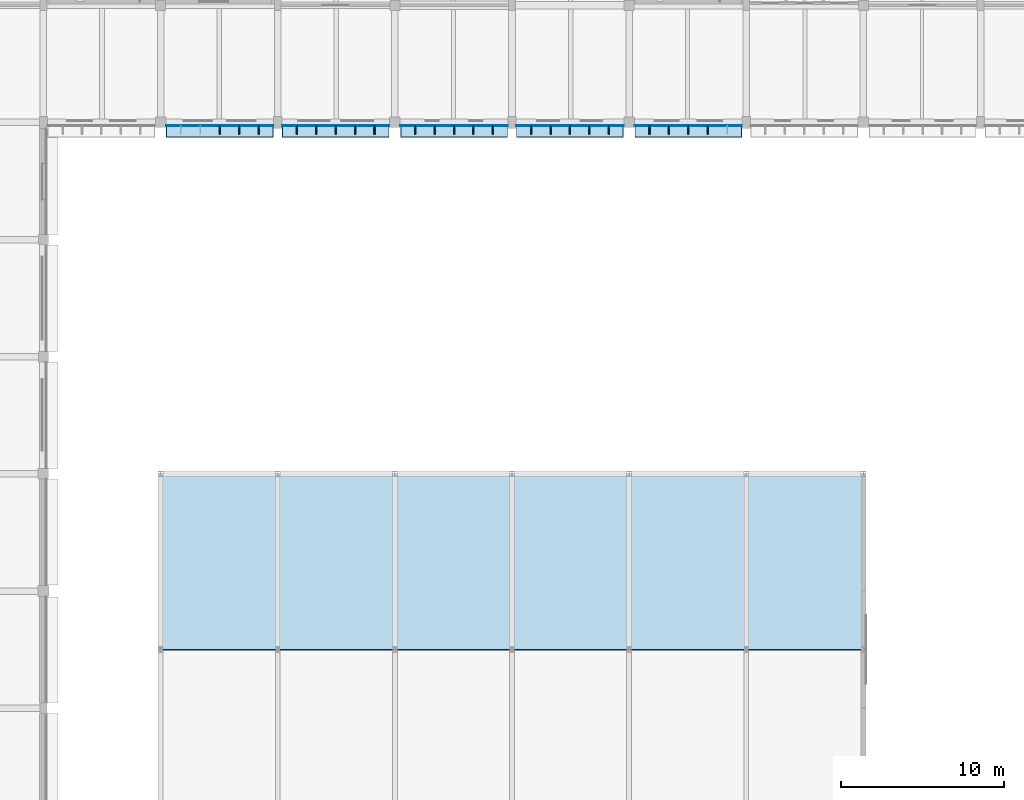
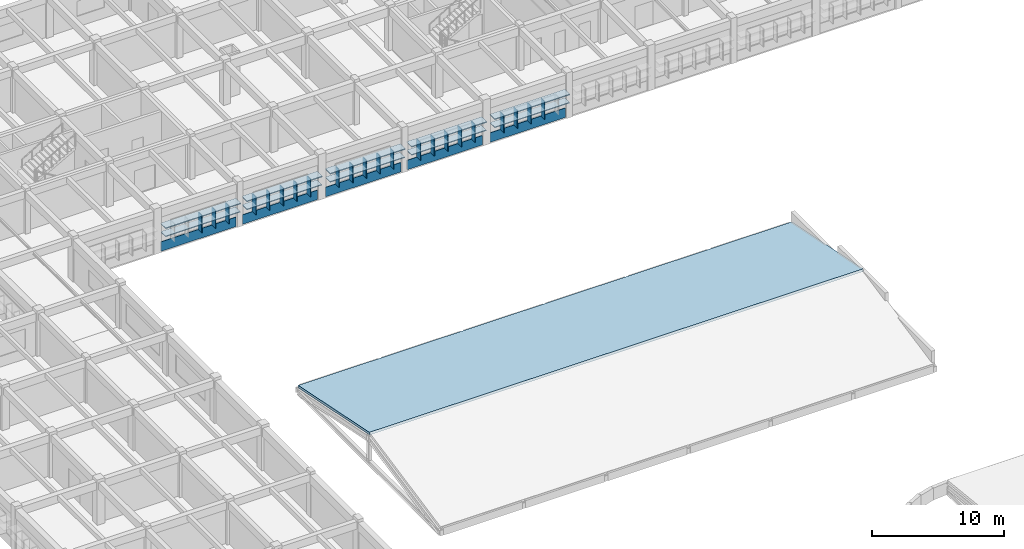
# One storey, part 71 of 103: 37 plates, 1 slab, 1 element without a shape of its own.
"""IFC4 building model written with IfcOpenShell, lengths in metres."""

from ifc_helpers import new_model, si_unit, direction, frame, origin, origin_2d, place, context, subcontext, project, spatial, polyline, rectangle, outline, extrude, material, layer, layer_set, type_object, element, aggregate, save


model = new_model("IFC4")

# Units and contexts
model_context = context("Model", 3, precision=1e-05, world=origin(), true_north=direction((0.0, 1.0)))
body_context = subcontext(model_context, "Body", "Model", "MODEL_VIEW")
ifc_project = project(units=[si_unit("LENGTHUNIT", "METRE"), si_unit("AREAUNIT", "SQUARE_METRE"), si_unit("VOLUMEUNIT", "CUBIC_METRE"), si_unit("PLANEANGLEUNIT", "RADIAN"), si_unit("MASSUNIT", "GRAM", prefix="KILO")], contexts=[model_context])

# Site, building, storey
site_placement = place(None, origin())
site = spatial("IfcSite", under=ifc_project, at=site_placement, CompositionType="ELEMENT")
building_placement = place(site_placement, origin())
building = spatial("IfcBuilding", under=site, at=building_placement, Name="Thalmaran Polytechnic", CompositionType="ELEMENT")
storey_placement = place(building_placement, frame((0.0, 0.0, 14.39990234375)))
storey = spatial("IfcBuildingStorey", under=building, at=storey_placement, Name="L03", CompositionType="ELEMENT", Elevation=14.39990234375)

# Plates
ifc_material_1 = material(Name="Anodised aluminium spandrel band", Category="aluminium")
ifc_layer_1 = layer(ifc_material_1, 0.054931640625, Name="Anodised aluminium spandrel band")
ifc_layer_set_1 = layer_set([ifc_layer_1], Name="Anodised aluminium spandrel band")
plate_type_1 = type_object("IfcPlateType", Name="PT-BD01", PredefinedType="SHEET", material=ifc_layer_set_1)
for number, where, z_axis, x_axis, name in (
    (1, (61.237548828125, 93.405029296875, 0.020263671875), (0.0, 0.0, 1.0), (-1.0, 0.0, 0.0), "Streamline Horizontal Spandrel Band L03-083"),
    (2, (53.96240234375, 93.405029296875, 0.020263671875), (0.0, 0.0, 1.0), (-1.0, 0.0, 0.0), "Streamline Horizontal Spandrel Band L03-084"),
    (3, (46.83740234375, 93.405029296875, 0.020263671875), (0.0, 0.0, 1.0), (-1.0, 0.0, 0.0), "Streamline Horizontal Spandrel Band L03-085"),
    (4, (39.5625, 93.405029296875, 0.020263671875), (0.0, 0.0, 1.0), (-1.0, 0.0, 0.0), "Streamline Horizontal Spandrel Band L03-086"),
    (5, (32.4375, 93.405029296875, 0.020263671875), (0.0, 0.0, 1.0), (-1.0, 0.0, 0.0), "Streamline Horizontal Spandrel Band L03-087"),
):
    element("IfcPlate", number, at=place(storey_placement, frame(where, z_axis=z_axis, x_axis=x_axis)), inside=storey, type_object=plate_type_1, Name=name, PredefinedType="SHEET", context=body_context, shape_type="SweptSolid", body=[
        extrude(rectangle(XDim=6.5849609375, YDim=0.054931640625, at=origin_2d()), origin(), (0.0, 0.0, 1.0), 0.8798828125),
    ])
ifc_material_2 = material(Name="Anodised aluminium sun-hood eyebrow", Category="aluminium")
ifc_layer_2 = layer(ifc_material_2, 0.0849609375, Name="Anodised aluminium sun-hood eyebrow")
ifc_layer_set_2 = layer_set([ifc_layer_2], Name="Anodised aluminium sun-hood eyebrow")
plate_type_2 = type_object("IfcPlateType", Name="PT-EB01", PredefinedType="SHEET", material=ifc_layer_set_2)
plate_1_placement = place(storey_placement, frame((61.237548828125, 93.06005859375, 2.517578125), z_axis=(0.0, 0.0, 1.0), x_axis=(-1.0, 0.0, 0.0)))
element("IfcPlate", 6, at=plate_1_placement, inside=storey, type_object=plate_type_2, Name="Streamline Sun-Hood Eyebrow L03-083", PredefinedType="SHEET", context=body_context, shape_type="SweptSolid", body=[
    extrude(rectangle(XDim=6.5849609375, YDim=0.760009765625, at=origin_2d()), origin(), (0.0, 0.0, 1.0), 0.0849609375),
])
plate_2_placement = place(storey_placement, frame((61.237548828125, 93.080078125, 1.74267578125), z_axis=(0.0, 0.0, 1.0), x_axis=(-1.0, 0.0, 0.0)))
element("IfcPlate", 7, at=plate_2_placement, inside=storey, type_object=plate_type_2, Name="Abu Dhabi Horizontal Solar Louvre L03-083", PredefinedType="SHEET", context=body_context, shape_type="SweptSolid", body=[
    extrude(rectangle(XDim=6.544921875, YDim=0.719970703125, at=origin_2d()), origin(), (0.0, 0.0, 1.0), 0.074951171875),
])
plate_3_placement = place(storey_placement, frame((53.96240234375, 93.06005859375, 2.517578125), z_axis=(0.0, 0.0, 1.0), x_axis=(-1.0, 0.0, 0.0)))
element("IfcPlate", 8, at=plate_3_placement, inside=storey, type_object=plate_type_2, Name="Streamline Sun-Hood Eyebrow L03-084", PredefinedType="SHEET", context=body_context, shape_type="SweptSolid", body=[
    extrude(rectangle(XDim=6.5849609375, YDim=0.760009765625, at=origin_2d()), origin(), (0.0, 0.0, 1.0), 0.0849609375),
])
plate_4_placement = place(storey_placement, frame((53.96240234375, 93.080078125, 1.74267578125), z_axis=(0.0, 0.0, 1.0), x_axis=(-1.0, 0.0, 0.0)))
element("IfcPlate", 9, at=plate_4_placement, inside=storey, type_object=plate_type_2, Name="Abu Dhabi Horizontal Solar Louvre L03-084", PredefinedType="SHEET", context=body_context, shape_type="SweptSolid", body=[
    extrude(rectangle(XDim=6.544921875, YDim=0.719970703125, at=origin_2d()), origin(), (0.0, 0.0, 1.0), 0.074951171875),
])
plate_5_placement = place(storey_placement, frame((46.83740234375, 93.06005859375, 2.517578125), z_axis=(0.0, 0.0, 1.0), x_axis=(-1.0, 0.0, 0.0)))
element("IfcPlate", 10, at=plate_5_placement, inside=storey, type_object=plate_type_2, Name="Streamline Sun-Hood Eyebrow L03-085", PredefinedType="SHEET", context=body_context, shape_type="SweptSolid", body=[
    extrude(rectangle(XDim=6.5849609375, YDim=0.760009765625, at=origin_2d()), origin(), (0.0, 0.0, 1.0), 0.0849609375),
])
plate_6_placement = place(storey_placement, frame((46.83740234375, 93.080078125, 1.74267578125), z_axis=(0.0, 0.0, 1.0), x_axis=(-1.0, 0.0, 0.0)))
element("IfcPlate", 11, at=plate_6_placement, inside=storey, type_object=plate_type_2, Name="Abu Dhabi Horizontal Solar Louvre L03-085", PredefinedType="SHEET", context=body_context, shape_type="SweptSolid", body=[
    extrude(rectangle(XDim=6.544921875, YDim=0.719970703125, at=origin_2d()), origin(), (0.0, 0.0, 1.0), 0.074951171875),
])
plate_7_placement = place(storey_placement, frame((39.5625, 93.06005859375, 2.517578125), z_axis=(0.0, 0.0, 1.0), x_axis=(-1.0, 0.0, 0.0)))
element("IfcPlate", 12, at=plate_7_placement, inside=storey, type_object=plate_type_2, Name="Streamline Sun-Hood Eyebrow L03-086", PredefinedType="SHEET", context=body_context, shape_type="SweptSolid", body=[
    extrude(rectangle(XDim=6.5849609375, YDim=0.760009765625, at=origin_2d()), origin(), (0.0, 0.0, 1.0), 0.0849609375),
])
plate_8_placement = place(storey_placement, frame((39.5625, 93.080078125, 1.74267578125), z_axis=(0.0, 0.0, 1.0), x_axis=(-1.0, 0.0, 0.0)))
element("IfcPlate", 13, at=plate_8_placement, inside=storey, type_object=plate_type_2, Name="Abu Dhabi Horizontal Solar Louvre L03-086", PredefinedType="SHEET", context=body_context, shape_type="SweptSolid", body=[
    extrude(rectangle(XDim=6.544921875, YDim=0.719970703125, at=origin_2d()), origin(), (0.0, 0.0, 1.0), 0.074951171875),
])
plate_9_placement = place(storey_placement, frame((32.4375, 93.06005859375, 2.517578125), z_axis=(0.0, 0.0, 1.0), x_axis=(-1.0, 0.0, 0.0)))
element("IfcPlate", 14, at=plate_9_placement, inside=storey, type_object=plate_type_2, Name="Streamline Sun-Hood Eyebrow L03-087", PredefinedType="SHEET", context=body_context, shape_type="SweptSolid", body=[
    extrude(rectangle(XDim=6.5849609375, YDim=0.760009765625, at=origin_2d()), origin(), (0.0, 0.0, 1.0), 0.0849609375),
])
plate_10_placement = place(storey_placement, frame((32.4375, 93.080078125, 1.74267578125), z_axis=(0.0, 0.0, 1.0), x_axis=(-1.0, 0.0, 0.0)))
element("IfcPlate", 15, at=plate_10_placement, inside=storey, type_object=plate_type_2, Name="Abu Dhabi Horizontal Solar Louvre L03-087", PredefinedType="SHEET", context=body_context, shape_type="SweptSolid", body=[
    extrude(rectangle(XDim=6.544921875, YDim=0.719970703125, at=origin_2d()), origin(), (0.0, 0.0, 1.0), 0.074951171875),
])
ifc_material_3 = material(Name="Anodised bronze brise-soleil fin")
ifc_layer_3 = layer(ifc_material_3, 0.06494140625, Name="Anodised bronze brise-soleil fin")
ifc_layer_set_3 = layer_set([ifc_layer_3], Name="Anodised bronze brise-soleil fin")
plate_type_3 = type_object("IfcPlateType", Name="PT-FN01", PredefinedType="SHEET", material=ifc_layer_set_3)
for number, where, z_axis, x_axis, name in (
    (16, (62.429931640625, 93.139892578125, 0.895263671875), (0.0, 0.0, 1.0), (-1.0, 0.0, 0.0), "Abu Dhabi Solar Brise-Soleil Fin L03-083-2"),
    (17, (61.237548828125, 93.139892578125, 0.895263671875), (0.0, 0.0, 1.0), (-1.0, 0.0, 0.0), "Abu Dhabi Solar Brise-Soleil Fin L03-083-3"),
    (18, (60.044921875, 93.139892578125, 0.895263671875), (0.0, 0.0, 1.0), (-1.0, 0.0, 0.0), "Abu Dhabi Solar Brise-Soleil Fin L03-083-4"),
    (19, (58.8525390625, 93.139892578125, 0.895263671875), (0.0, 0.0, 1.0), (-1.0, 0.0, 0.0), "Abu Dhabi Solar Brise-Soleil Fin L03-083-5"),
    (20, (56.347412109375, 93.139892578125, 0.895263671875), (0.0, 0.0, 1.0), (-1.0, 0.0, 0.0), "Abu Dhabi Solar Brise-Soleil Fin L03-084-1"),
    (21, (55.155029296875, 93.139892578125, 0.895263671875), (0.0, 0.0, 1.0), (-1.0, 0.0, 0.0), "Abu Dhabi Solar Brise-Soleil Fin L03-084-2"),
    (22, (53.96240234375, 93.139892578125, 0.895263671875), (0.0, 0.0, 1.0), (-1.0, 0.0, 0.0), "Abu Dhabi Solar Brise-Soleil Fin L03-084-3"),
    (23, (52.77001953125, 93.139892578125, 0.895263671875), (0.0, 0.0, 1.0), (-1.0, 0.0, 0.0), "Abu Dhabi Solar Brise-Soleil Fin L03-084-4"),
    (24, (51.577392578125, 93.139892578125, 0.895263671875), (0.0, 0.0, 1.0), (-1.0, 0.0, 0.0), "Abu Dhabi Solar Brise-Soleil Fin L03-084-5"),
    (25, (49.222412109375, 93.139892578125, 0.895263671875), (0.0, 0.0, 1.0), (-1.0, 0.0, 0.0), "Abu Dhabi Solar Brise-Soleil Fin L03-085-1"),
    (26, (48.030029296875, 93.139892578125, 0.895263671875), (0.0, 0.0, 1.0), (-1.0, 0.0, 0.0), "Abu Dhabi Solar Brise-Soleil Fin L03-085-2"),
    (27, (46.83740234375, 93.139892578125, 0.895263671875), (0.0, 0.0, 1.0), (-1.0, 0.0, 0.0), "Abu Dhabi Solar Brise-Soleil Fin L03-085-3"),
    (28, (45.64501953125, 93.139892578125, 0.895263671875), (0.0, 0.0, 1.0), (-1.0, 0.0, 0.0), "Abu Dhabi Solar Brise-Soleil Fin L03-085-4"),
    (29, (44.452392578125, 93.139892578125, 0.895263671875), (0.0, 0.0, 1.0), (-1.0, 0.0, 0.0), "Abu Dhabi Solar Brise-Soleil Fin L03-085-5"),
    (30, (41.947509765625, 93.139892578125, 0.895263671875), (0.0, 0.0, 1.0), (-1.0, 0.0, 0.0), "Abu Dhabi Solar Brise-Soleil Fin L03-086-1"),
    (31, (40.7548828125, 93.139892578125, 0.895263671875), (0.0, 0.0, 1.0), (-1.0, 0.0, 0.0), "Abu Dhabi Solar Brise-Soleil Fin L03-086-2"),
    (32, (39.5625, 93.139892578125, 0.895263671875), (0.0, 0.0, 1.0), (-1.0, 0.0, 0.0), "Abu Dhabi Solar Brise-Soleil Fin L03-086-3"),
    (33, (38.3701171875, 93.139892578125, 0.895263671875), (0.0, 0.0, 1.0), (-1.0, 0.0, 0.0), "Abu Dhabi Solar Brise-Soleil Fin L03-086-4"),
    (34, (37.177490234375, 93.139892578125, 0.895263671875), (0.0, 0.0, 1.0), (-1.0, 0.0, 0.0), "Abu Dhabi Solar Brise-Soleil Fin L03-086-5"),
    (35, (34.822509765625, 93.139892578125, 0.895263671875), (0.0, 0.0, 1.0), (-1.0, 0.0, 0.0), "Abu Dhabi Solar Brise-Soleil Fin L03-087-1"),
    (36, (33.6298828125, 93.139892578125, 0.895263671875), (0.0, 0.0, 1.0), (-1.0, 0.0, 0.0), "Abu Dhabi Solar Brise-Soleil Fin L03-087-2"),
    (37, (32.4375, 93.139892578125, 0.895263671875), (0.0, 0.0, 1.0), (-1.0, 0.0, 0.0), "Abu Dhabi Solar Brise-Soleil Fin L03-087-3"),
):
    element("IfcPlate", number, at=place(storey_placement, frame(where, z_axis=z_axis, x_axis=x_axis)), inside=storey, type_object=plate_type_3, Name=name, PredefinedType="SHEET", context=body_context, shape_type="SweptSolid", body=[
        extrude(rectangle(XDim=0.06494140625, YDim=0.56005859375, at=origin_2d()), origin(), (0.0, 0.0, 1.0), 1.64990234375),
    ])

# Roof, slab
ifc_material_4 = material(Name="High-SRI standing-seam aluminium roofing", Category="aluminium")
ifc_layer_4 = layer(ifc_material_4, 0.2099609375, Name="High-SRI standing-seam aluminium roofing")
ifc_layer_set_4 = layer_set([ifc_layer_4], Name="High-SRI standing-seam aluminium roofing")
roof_type = type_object("IfcRoofType", Name="RF-BR01", PredefinedType="BARREL_ROOF", material=ifc_layer_set_4)
roof_placement = place(storey_placement, origin())
roof = element("IfcRoof", 38, at=roof_placement, inside=storey, type_object=roof_type, Name="Refectory Streamline Parasol Roof", PredefinedType="BARREL_ROOF")
ifc_material_5 = material(Name="Concrete C40/50", Category="concrete")
ifc_layer_5 = layer(ifc_material_5, 0.219970703125, Name="Concrete C40/50")
ifc_layer_set_5 = layer_set([ifc_layer_5], Name="Concrete C40/50")
slab_type = type_object("IfcSlabType", Name="SL-RF03", PredefinedType="ROOF", material=ifc_layer_set_5)
slab_placement = place(storey_placement, frame((28.800048828125, 61.199951171875, 2.91748046875), z_axis=(0.0, 0.199365395278, 0.979925221211), x_axis=(1.0, 0.0, 0.0)))
slab = element("IfcSlab", 39, at=slab_placement, type_object=slab_type, Name="Refectory Parasol Roof N", PredefinedType="ROOF", context=body_context, shape_type="SweptSolid", body=[
    extrude(outline(polyline([(0.0, 0.0), (43.199951171875, 0.0), (43.199951171875, 11.02129896685009), (0.0, 11.02129896685009), (0.0, 0.0)])), origin(), (0.0, 0.0, -1.0), 0.219970703125),
])
aggregate(roof, [slab])

save(model, "model.ifc")
